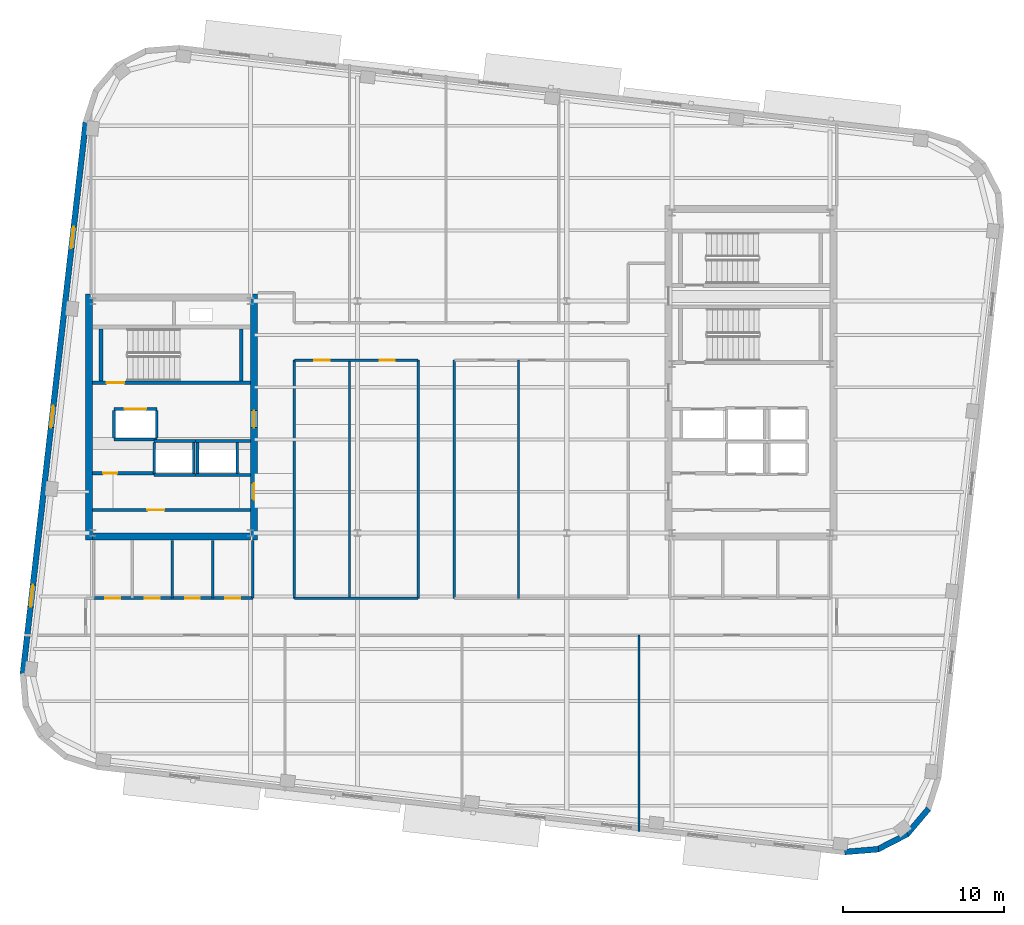
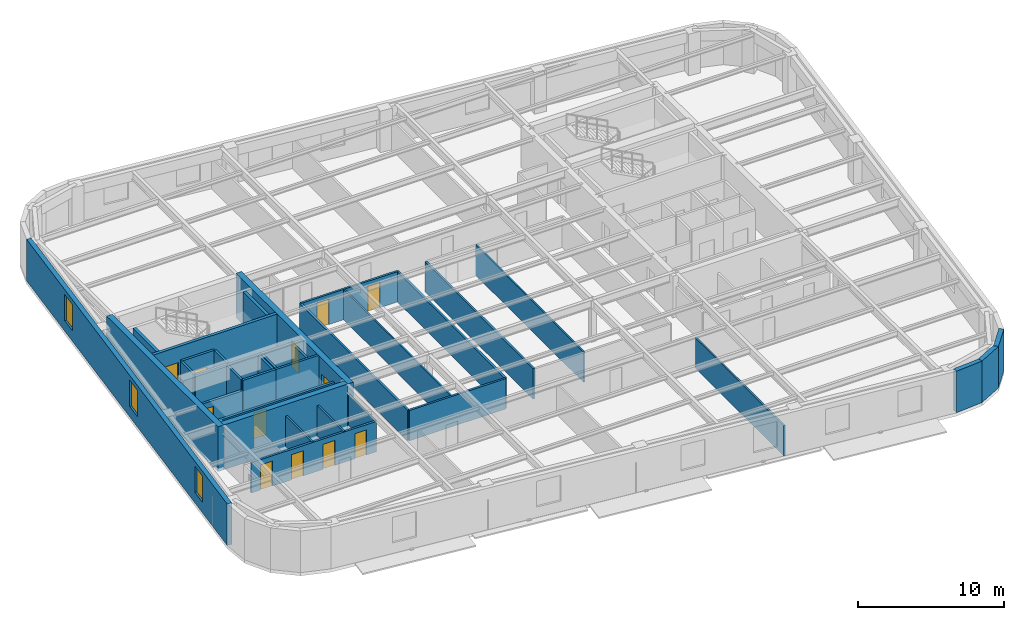
# One storey, part 6 of 13: 36 walls, 12 doors, 3 windows, 15 openings.
"""IFC4 building model written with IfcOpenShell, lengths in metres."""

from ifc_helpers import new_model, si_unit, direction, frame, frame_2d, origin, place, context, subcontext, project, spatial, rectangle, extrude, material, layer, layer_set, type_object, element, fill, save


model = new_model("IFC4")

# Units and contexts
model_context = context("Model", 3, precision=1e-05, world=origin(), true_north=direction((0.0, 1.0)))
body_context = subcontext(model_context, "Body", "Model", "MODEL_VIEW")
ifc_project = project(units=[si_unit("LENGTHUNIT", "METRE"), si_unit("AREAUNIT", "SQUARE_METRE"), si_unit("VOLUMEUNIT", "CUBIC_METRE"), si_unit("PLANEANGLEUNIT", "RADIAN"), si_unit("MASSUNIT", "GRAM", prefix="KILO")], contexts=[model_context])

# Site, building, storey
site_placement = place(None, origin())
site = spatial("IfcSite", under=ifc_project, at=site_placement, CompositionType="ELEMENT")
building_placement = place(site_placement, origin())
building = spatial("IfcBuilding", under=site, at=building_placement, Name="Kolvaren Arena Tower", CompositionType="ELEMENT")
storey_placement = place(building_placement, frame((0.0, 0.0, 228.449951171875)))
storey = spatial("IfcBuildingStorey", under=building, at=storey_placement, Name="L55", CompositionType="ELEMENT", Elevation=228.449951171875)

# Wall, openings, doors
ifc_material_1 = material(Name="Gypsum board acoustic assembly", Category="gypsum")
ifc_layer_1 = layer(ifc_material_1, 0.159912109375)
ifc_layer_set_1 = layer_set([ifc_layer_1], Name="Gypsum board acoustic assembly")
wall_type_1 = type_object("IfcWallType", Name="CORR-160", PredefinedType="PARTITIONING", material=ifc_layer_set_1)
wall_1_placement = place(storey_placement, frame((27.10009765625, 30.179931640625, 0.0), z_axis=(0.0, 0.0, 1.0), x_axis=(1.0, 0.0, 0.0)))
wall_1 = element("IfcWall", 1, at=wall_1_placement, inside=storey, type_object=wall_type_1, Name="Interior Partition Wall (L55)", PredefinedType="PARTITIONING", context=body_context, shape_type="SweptSolid", body=[
    extrude(rectangle(XDim=7.659912109375, YDim=0.159912109375, at=frame_2d((3.830078125, 0.0))), origin(), (0.0, 0.0, 1.0), 2.5400390625),
])
opening_1_placement = place(wall_1_placement, frame((1.22509765625, 0.0, 0.0)))
opening_1 = element("IfcOpeningElement", 2, at=opening_1_placement, cuts=wall_1, Name="Opening D05", PredefinedType="OPENING", context=body_context, shape_type="SweptSolid", body=[
    extrude(rectangle(XDim=0.949951171875, YDim=2.14990234375, at=frame_2d((0.47509765625, 1.074951171875))), frame((0.0, 0.08984375, 0.0), z_axis=(0.0, -1.0, 0.0), x_axis=(1.0, 0.0, 0.0)), (0.0, 0.0, 1.0), 0.179931640625),
])
opening_2_placement = place(wall_1_placement, frame((5.27490234375, 0.0, 0.0)))
opening_2 = element("IfcOpeningElement", 3, at=opening_2_placement, cuts=wall_1, Name="Opening D05", PredefinedType="OPENING", context=body_context, shape_type="SweptSolid", body=[
    extrude(rectangle(XDim=0.949951171875, YDim=2.14990234375, at=frame_2d((0.47509765625, 1.074951171875))), frame((0.0, 0.08984375, 0.0), z_axis=(0.0, -1.0, 0.0), x_axis=(1.0, 0.0, 0.0)), (0.0, 0.0, 1.0), 0.179931640625),
])
ifc_material_2 = material(Name="Solid-core oak acoustic office door", Category="wood")
door_type_1 = type_object("IfcDoorType", Name="DOOR-OF-095", OperationType="NOTDEFINED", PredefinedType="DOOR", material=ifc_material_2)
door_1_placement = place(opening_1_placement, origin())
door_1 = element("IfcDoor", 4, at=door_1_placement, inside=storey, type_object=door_type_1, Name="Training Seminar Room Door (L55)", OperationType="SINGLE_SWING_LEFT", OverallHeight=2.14990234375, OverallWidth=0.949951171875, PredefinedType="DOOR", context=body_context, shape_type="SweptSolid", body=[
    extrude(rectangle(XDim=0.949951171875, YDim=2.14990234375, at=frame_2d((0.47509765625, 1.074951171875))), frame((0.0, 0.02490234375, 0.0), z_axis=(0.0, -1.0, 0.0), x_axis=(1.0, 0.0, 0.0)), (0.0, 0.0, 1.0), 0.050048828125),
])
fill(opening_1, door_1)
door_2_placement = place(opening_2_placement, origin())
door_2 = element("IfcDoor", 5, at=door_2_placement, inside=storey, type_object=door_type_1, Name="Boardroom Door (L55)", OperationType="SINGLE_SWING_RIGHT", OverallHeight=2.14990234375, OverallWidth=0.949951171875, PredefinedType="DOOR", context=body_context, shape_type="SweptSolid", body=[
    extrude(rectangle(XDim=0.949951171875, YDim=2.14990234375, at=frame_2d((0.47509765625, 1.074951171875))), frame((0.0, 0.02490234375, 0.0), z_axis=(0.0, -1.0, 0.0), x_axis=(1.0, 0.0, 0.0)), (0.0, 0.0, 1.0), 0.050048828125),
])
fill(opening_2, door_2)

# Walls
wall_2_placement = place(storey_placement, frame((27.10009765625, 15.3798828125, 0.0), z_axis=(0.0, 0.0, 1.0), x_axis=(1.0, 0.0, 0.0)))
element("IfcWall", 6, at=wall_2_placement, inside=storey, type_object=wall_type_1, Name="Interior Partition Wall (L55)", PredefinedType="PARTITIONING", context=body_context, shape_type="SweptSolid", body=[
    extrude(rectangle(XDim=7.659912109375, YDim=0.159912109375, at=frame_2d((3.830078125, 0.0))), origin(), (0.0, 0.0, 1.0), 2.5400390625),
])
for number, where, z_axis, x_axis, name in (
    (7, (34.780029296875, 15.3798828125, 0.0), (0.0, 0.0, 1.0), (0.0, 1.0, 0.0), "Interior Partition Wall (L55)"),
    (8, (37.02001953125, 15.3798828125, 0.0), (0.0, 0.0, 1.0), (0.0, 1.0, 0.0), "Interior Partition Wall (L55)"),
    (9, (27.080078125, 15.3798828125, 0.0), (0.0, 0.0, 1.0), (0.0, 1.0, 0.0), "Interior Partition Wall (L55)"),
):
    element("IfcWall", number, at=place(storey_placement, frame(where, z_axis=z_axis, x_axis=x_axis)), inside=storey, type_object=wall_type_1, Name=name, PredefinedType="PARTITIONING", context=body_context, shape_type="SweptSolid", body=[
        extrude(rectangle(XDim=14.800048828125, YDim=0.159912109375, at=frame_2d((7.39990234375, 0.0))), origin(), (0.0, 0.0, 1.0), 2.5400390625),
    ])
ifc_material_3 = material(Name="Concrete 55 MPa", Category="concrete")
ifc_layer_2 = layer(ifc_material_3, 0.449951171875)
ifc_layer_set_2 = layer_set([ifc_layer_2], Name="Concrete 55 MPa")
wall_type_2 = type_object("IfcWallType", Name="CWALL-450", PredefinedType="SHEAR", material=ifc_layer_set_2)
wall_3_placement = place(storey_placement, frame((14.324951171875, 19.0, -0.27001953125), z_axis=(0.0, 0.0, 1.0), x_axis=(0.0, 1.0, 0.0)))
element("IfcWall", 10, at=wall_3_placement, inside=storey, type_object=wall_type_2, Name="Core Shear Wall WC-WEST (L55)", PredefinedType="SHEAR", context=body_context, shape_type="SweptSolid", body=[
    extrude(rectangle(XDim=15.300048828125, YDim=0.449951171875, at=frame_2d((7.64990234375, 0.0))), origin(), (0.0, 0.0, 1.0), 3.75),
])

# Wall, openings, doors
wall_4_placement = place(storey_placement, frame((24.574951171875, 19.0, -0.27001953125), z_axis=(0.0, 0.0, 1.0), x_axis=(0.0, 1.0, 0.0)))
wall_4 = element("IfcWall", 11, at=wall_4_placement, inside=storey, type_object=wall_type_2, Name="Core Shear Wall WC-EAST (L55)", PredefinedType="SHEAR", context=body_context, shape_type="SweptSolid", body=[
    extrude(rectangle(XDim=15.300048828125, YDim=0.449951171875, at=frame_2d((7.64990234375, 0.0))), origin(), (0.0, 0.0, 1.0), 3.75),
])
opening_3_placement = place(wall_4_placement, frame((2.5, 0.0, 0.27001953125)))
opening_3 = element("IfcOpeningElement", 12, at=opening_3_placement, cuts=wall_4, Name="Opening D04", PredefinedType="OPENING", context=body_context, shape_type="SweptSolid", body=[
    extrude(rectangle(XDim=1.050048828125, YDim=2.14990234375, at=frame_2d((0.52490234375, 1.074951171875))), frame((0.0, 0.23486328125, 0.0), z_axis=(0.0, -1.0, 0.0), x_axis=(1.0, 0.0, 0.0)), (0.0, 0.0, 1.0), 0.469970703125),
])
opening_4_placement = place(wall_4_placement, frame((7.0, 0.0, 0.27001953125)))
opening_4 = element("IfcOpeningElement", 13, at=opening_4_placement, cuts=wall_4, Name="Opening D04", PredefinedType="OPENING", context=body_context, shape_type="SweptSolid", body=[
    extrude(rectangle(XDim=1.050048828125, YDim=2.14990234375, at=frame_2d((0.52490234375, 1.074951171875))), frame((0.0, 0.23486328125, 0.0), z_axis=(0.0, -1.0, 0.0), x_axis=(1.0, 0.0, 0.0)), (0.0, 0.0, 1.0), 0.469970703125),
])
ifc_material_4 = material(Name="Fire-rated steel lobby door", Category="steel")
door_type_2 = type_object("IfcDoorType", Name="DOOR-FF-105", OperationType="NOTDEFINED", PredefinedType="DOOR", material=ifc_material_4)
door_3_placement = place(opening_3_placement, origin())
door_3 = element("IfcDoor", 14, at=door_3_placement, inside=storey, type_object=door_type_2, Name="West Lift Lobby Fire Door (L55)", OperationType="SINGLE_SWING_LEFT", OverallHeight=2.14990234375, OverallWidth=1.050048828125, PredefinedType="DOOR", context=body_context, shape_type="SweptSolid", body=[
    extrude(rectangle(XDim=1.050048828125, YDim=2.14990234375, at=frame_2d((0.52490234375, 1.074951171875))), frame((0.0, 0.02490234375, 0.0), z_axis=(0.0, -1.0, 0.0), x_axis=(1.0, 0.0, 0.0)), (0.0, 0.0, 1.0), 0.050048828125),
])
fill(opening_3, door_3)
door_4_placement = place(opening_4_placement, origin())
door_4 = element("IfcDoor", 15, at=door_4_placement, inside=storey, type_object=door_type_2, Name="West Firefighter Vestibule Door (L55)", OperationType="SINGLE_SWING_RIGHT", OverallHeight=2.14990234375, OverallWidth=1.050048828125, PredefinedType="DOOR", context=body_context, shape_type="SweptSolid", body=[
    extrude(rectangle(XDim=1.050048828125, YDim=2.14990234375, at=frame_2d((0.52490234375, 1.074951171875))), frame((0.0, 0.02490234375, 0.0), z_axis=(0.0, -1.0, 0.0), x_axis=(1.0, 0.0, 0.0)), (0.0, 0.0, 1.0), 0.050048828125),
])
fill(opening_4, door_4)

# Walls
wall_5_placement = place(storey_placement, frame((14.550048828125, 19.22509765625, -0.27001953125), z_axis=(0.0, 0.0, 1.0), x_axis=(1.0, 0.0, 0.0)))
element("IfcWall", 16, at=wall_5_placement, inside=storey, type_object=wall_type_2, Name="Core Shear Wall WC-SOUTH (L55)", PredefinedType="SHEAR", context=body_context, shape_type="SweptSolid", body=[
    extrude(rectangle(XDim=9.800048828125, YDim=0.449951171875, at=frame_2d((4.89990234375, 0.0))), origin(), (0.0, 0.0, 1.0), 3.75),
])
ifc_material_5 = material(Name="Precast concrete C50/60", Category="concrete")
ifc_layer_3 = layer(ifc_material_5, 0.360107421875)
ifc_layer_set_3 = layer_set([ifc_layer_3], Name="Precast concrete C50/60")
wall_type_3 = type_object("IfcWallType", Name="EXT-PIER2", PredefinedType="SOLIDWALL", material=ifc_layer_set_3)
wall_6_placement = place(storey_placement, frame((63.370361328125, -0.199462890625, 0.0), z_axis=(0.0, 0.0, 1.0), x_axis=(-0.996562518477, -0.082844111233, 0.0)))
element("IfcWall", 17, at=wall_6_placement, inside=storey, type_object=wall_type_3, Name="Exterior Precast Masonry-Frame Wall (L55)", PredefinedType="SOLIDWALL", context=body_context, shape_type="SweptSolid", body=[
    extrude(rectangle(XDim=2.107177734375, YDim=0.360107421875, at=frame_2d((1.0537109375, 0.0))), origin(), (0.0, 0.0, 1.0), 3.47998046875),
])
for number, where, z_axis, x_axis, name in (
    (18, (65.176025390625, 0.745849609375, 0.0), (0.0, 0.0, 1.0), (-0.888985992199, -0.457934390142, 0.0), "Exterior Precast Masonry-Frame Wall (L55)"),
    (19, (66.482421875, 2.310302734375, 0.0), (0.0, 0.0, 1.0), (-0.646103249464, -0.763250018691, 0.0), "Exterior Precast Masonry-Frame Wall (L55)"),
):
    element("IfcWall", number, at=place(storey_placement, frame(where, z_axis=z_axis, x_axis=x_axis)), inside=storey, type_object=wall_type_3, Name=name, PredefinedType="SOLIDWALL", context=body_context, shape_type="SweptSolid", body=[
        extrude(rectangle(XDim=2.10693359375, YDim=0.360107421875, at=frame_2d((1.053466796875, 0.0))), origin(), (0.0, 0.0, 1.0), 3.47998046875),
    ])

# Wall, openings, windows
wall_7_placement = place(storey_placement, frame((10.211181640625, 10.70068359375, 0.0), z_axis=(0.0, 0.0, 1.0), x_axis=(0.113203107947, 0.993571867733, 0.0)))
wall_7 = element("IfcWall", 20, at=wall_7_placement, inside=storey, type_object=wall_type_3, Name="Exterior Precast Masonry-Frame Wall (L55)", PredefinedType="SOLIDWALL", context=body_context, shape_type="SweptSolid", body=[
    extrude(rectangle(XDim=34.5, YDim=0.360107421875, at=frame_2d((17.25, 0.0))), origin(), (0.0, 0.0, 1.0), 3.47998046875),
])
opening_5_placement = place(wall_7_placement, frame((4.199951171875, 0.0, 0.8798828125)))
opening_5 = element("IfcOpeningElement", 21, at=opening_5_placement, cuts=wall_7, Name="Opening W04", PredefinedType="OPENING", context=body_context, shape_type="SweptSolid", body=[
    extrude(rectangle(XDim=1.35009765625, YDim=2.199951171875, at=frame_2d((0.675048828125, 1.10009765625))), frame((0.0, 0.18994140625, 0.0), z_axis=(0.0, -1.0, 0.0), x_axis=(1.0, 0.0, 0.0)), (0.0, 0.0, 1.0), 0.380126953125),
])
opening_6_placement = place(wall_7_placement, frame((15.39990234375, 0.0, 0.8798828125)))
opening_6 = element("IfcOpeningElement", 22, at=opening_6_placement, cuts=wall_7, Name="Opening W04", PredefinedType="OPENING", context=body_context, shape_type="SweptSolid", body=[
    extrude(rectangle(XDim=1.35009765625, YDim=2.199951171875, at=frame_2d((0.675048828125, 1.10009765625))), frame((0.0, 0.18994140625, 0.0), z_axis=(0.0, -1.0, 0.0), x_axis=(1.0, 0.0, 0.0)), (0.0, 0.0, 1.0), 0.380126953125),
])
opening_7_placement = place(wall_7_placement, frame((26.60009765625, 0.0, 0.8798828125)))
opening_7 = element("IfcOpeningElement", 23, at=opening_7_placement, cuts=wall_7, Name="Opening W04", PredefinedType="OPENING", context=body_context, shape_type="SweptSolid", body=[
    extrude(rectangle(XDim=1.35009765625, YDim=2.199951171875, at=frame_2d((0.675048828125, 1.10009765625))), frame((0.0, 0.18994140625, 0.0), z_axis=(0.0, -1.0, 0.0), x_axis=(1.0, 0.0, 0.0)), (0.0, 0.0, 1.0), 0.380126953125),
])
ifc_material_6 = material(Name="Triple-glazed curved-facet corner window", Category="glass")
window_type = type_object("IfcWindowType", Name="WIN-CRN-A", PartitioningType="SINGLE_PANEL", PredefinedType="WINDOW", material=ifc_material_6)
window_1_placement = place(opening_5_placement, origin())
window_1 = element("IfcWindow", 24, at=window_1_placement, inside=storey, type_object=window_type, Name="End-Wall Punched Window (L55)", OverallHeight=2.199951171875, OverallWidth=1.35009765625, PartitioningType="SINGLE_PANEL", PredefinedType="WINDOW", context=body_context, shape_type="SweptSolid", body=[
    extrude(rectangle(XDim=1.35009765625, YDim=2.199951171875, at=frame_2d((0.675048828125, 1.10009765625))), frame((0.0, 0.030029296875, 0.0), z_axis=(0.0, -1.0, 0.0), x_axis=(1.0, 0.0, 0.0)), (0.0, 0.0, 1.0), 0.06005859375),
])
fill(opening_5, window_1)
window_2_placement = place(opening_6_placement, origin())
window_2 = element("IfcWindow", 25, at=window_2_placement, inside=storey, type_object=window_type, Name="End-Wall Punched Window (L55)", OverallHeight=2.199951171875, OverallWidth=1.35009765625, PartitioningType="SINGLE_PANEL", PredefinedType="WINDOW", context=body_context, shape_type="SweptSolid", body=[
    extrude(rectangle(XDim=1.35009765625, YDim=2.199951171875, at=frame_2d((0.675048828125, 1.10009765625))), frame((0.0, 0.030029296875, 0.0), z_axis=(0.0, -1.0, 0.0), x_axis=(1.0, 0.0, 0.0)), (0.0, 0.0, 1.0), 0.06005859375),
])
fill(opening_6, window_2)
window_3_placement = place(opening_7_placement, origin())
window_3 = element("IfcWindow", 26, at=window_3_placement, inside=storey, type_object=window_type, Name="End-Wall Punched Window (L55)", OverallHeight=2.199951171875, OverallWidth=1.35009765625, PartitioningType="SINGLE_PANEL", PredefinedType="WINDOW", context=body_context, shape_type="SweptSolid", body=[
    extrude(rectangle(XDim=1.35009765625, YDim=2.199951171875, at=frame_2d((0.675048828125, 1.10009765625))), frame((0.0, 0.030029296875, 0.0), z_axis=(0.0, -1.0, 0.0), x_axis=(1.0, 0.0, 0.0)), (0.0, 0.0, 1.0), 0.06005859375),
])
fill(opening_7, window_3)

# Wall, opening, door
ifc_material_7 = material(Name="Concrete 40 MPa", Category="concrete")
ifc_layer_4 = layer(ifc_material_7, 0.199951171875)
ifc_layer_set_4 = layer_set([ifc_layer_4], Name="Concrete 40 MPa")
wall_type_4 = type_object("IfcWallType", Name="LOBBY-200", PredefinedType="SOLIDWALL", material=ifc_layer_set_4)
wall_8_placement = place(storey_placement, frame((14.550048828125, 20.8798828125, 0.0), z_axis=(0.0, 0.0, 1.0), x_axis=(1.0, 0.0, 0.0)))
wall_8 = element("IfcWall", 27, at=wall_8_placement, inside=storey, type_object=wall_type_4, Name="Core Shaft Wall (L55)", PredefinedType="SOLIDWALL", context=body_context, shape_type="SweptSolid", body=[
    extrude(rectangle(XDim=9.800048828125, YDim=0.199951171875, at=frame_2d((4.89990234375, 0.0))), origin(), (0.0, 0.0, 1.0), 2.5400390625),
])
opening_8_placement = place(wall_8_placement, frame((3.39990234375, 0.0, 0.0)))
opening_8 = element("IfcOpeningElement", 28, at=opening_8_placement, cuts=wall_8, Name="Opening D04", PredefinedType="OPENING", context=body_context, shape_type="SweptSolid", body=[
    extrude(rectangle(XDim=1.050048828125, YDim=2.14990234375, at=frame_2d((0.52490234375, 1.074951171875))), frame((0.0, 0.10986328125, 0.0), z_axis=(0.0, -1.0, 0.0), x_axis=(1.0, 0.0, 0.0)), (0.0, 0.0, 1.0), 0.219970703125),
])
door_5_placement = place(opening_8_placement, origin())
door_5 = element("IfcDoor", 29, at=door_5_placement, inside=storey, type_object=door_type_2, Name="West IT Room Fire Door (L55)", OperationType="SINGLE_SWING_LEFT", OverallHeight=2.14990234375, OverallWidth=1.050048828125, PredefinedType="DOOR", context=body_context, shape_type="SweptSolid", body=[
    extrude(rectangle(XDim=1.050048828125, YDim=2.14990234375, at=frame_2d((0.52490234375, 1.074951171875))), frame((0.0, 0.02490234375, 0.0), z_axis=(0.0, -1.0, 0.0), x_axis=(1.0, 0.0, 0.0)), (0.0, 0.0, 1.0), 0.050048828125),
])
fill(opening_8, door_5)

wall_9_placement = place(storey_placement, frame((14.550048828125, 23.159912109375, 0.0), z_axis=(0.0, 0.0, 1.0), x_axis=(1.0, 0.0, 0.0)))
wall_9 = element("IfcWall", 30, at=wall_9_placement, inside=storey, type_object=wall_type_4, Name="Core Shaft Wall (L55)", PredefinedType="SOLIDWALL", context=body_context, shape_type="SweptSolid", body=[
    extrude(rectangle(XDim=3.820068359375, YDim=0.199951171875, at=frame_2d((1.91015625, 0.0))), origin(), (0.0, 0.0, 1.0), 2.5400390625),
])
opening_9_placement = place(wall_9_placement, frame((0.64990234375, 0.0, 0.0)))
opening_9 = element("IfcOpeningElement", 31, at=opening_9_placement, cuts=wall_9, Name="Opening D09", PredefinedType="OPENING", context=body_context, shape_type="SweptSolid", body=[
    extrude(rectangle(XDim=0.860107421875, YDim=2.050048828125, at=frame_2d((0.43017578125, 1.02490234375))), frame((0.0, 0.10986328125, 0.0), z_axis=(0.0, -1.0, 0.0), x_axis=(1.0, 0.0, 0.0)), (0.0, 0.0, 1.0), 0.219970703125),
])
ifc_material_8 = material(Name="Fire-rated steel riser access door", Category="steel")
door_type_3 = type_object("IfcDoorType", Name="DOOR-RS-086", OperationType="NOTDEFINED", PredefinedType="DOOR", material=ifc_material_8)
door_6_placement = place(opening_9_placement, origin())
door_6 = element("IfcDoor", 32, at=door_6_placement, inside=storey, type_object=door_type_3, Name="West Document Archive Riser Door (L55)", OperationType="SINGLE_SWING_RIGHT", OverallHeight=2.050048828125, OverallWidth=0.860107421875, PredefinedType="DOOR", context=body_context, shape_type="SweptSolid", body=[
    extrude(rectangle(XDim=0.860107421875, YDim=2.050048828125, at=frame_2d((0.43017578125, 1.02490234375))), frame((0.0, 0.02490234375, 0.0), z_axis=(0.0, -1.0, 0.0), x_axis=(1.0, 0.0, 0.0)), (0.0, 0.0, 1.0), 0.050048828125),
])
fill(opening_9, door_6)

# Walls
ifc_material_9 = material(Name="Gypsum board partition assembly", Category="gypsum")
ifc_layer_5 = layer(ifc_material_9, 0.114990234375)
ifc_layer_set_5 = layer_set([ifc_layer_5], Name="Gypsum board partition assembly")
wall_type_5 = type_object("IfcWallType", Name="PART-115", PredefinedType="PARTITIONING", material=ifc_layer_set_5)
for number, where, z_axis, x_axis, name in (
    (33, (30.5, 15.3798828125, 0.0), (0.0, 0.0, 1.0), (0.0, 1.0, 0.0), "Interior Partition Wall (L55)"),
    (34, (41.0, 15.3798828125, 0.0), (0.0, 0.0, 1.0), (0.0, 1.0, 0.0), "Interior Partition Wall (L55)"),
):
    element("IfcWall", number, at=place(storey_placement, frame(where, z_axis=z_axis, x_axis=x_axis)), inside=storey, type_object=wall_type_5, Name=name, PredefinedType="PARTITIONING", context=body_context, shape_type="SweptSolid", body=[
        extrude(rectangle(XDim=14.800048828125, YDim=0.114990234375, at=frame_2d((7.39990234375, 0.0))), origin(), (0.0, 0.0, 1.0), 2.5400390625),
    ])
ifc_layer_6 = layer(ifc_material_9, 0.135009765625)
ifc_layer_set_6 = layer_set([ifc_layer_6], Name="Gypsum board partition assembly")
wall_type_6 = type_object("IfcWallType", Name="PART-135", PredefinedType="PARTITIONING", material=ifc_layer_set_6)
wall_10_placement = place(storey_placement, frame((48.5, 0.9033203125, 0.0), z_axis=(0.0, 0.0, 1.0), x_axis=(0.0, 1.0, 0.0)))
element("IfcWall", 35, at=wall_10_placement, inside=storey, type_object=wall_type_6, Name="Interior Partition Wall (L55)", PredefinedType="PARTITIONING", context=body_context, shape_type="SweptSolid", body=[
    extrude(rectangle(XDim=12.19677734375, YDim=0.135009765625, at=frame_2d((6.098388671875, 0.0))), origin(), (0.0, 0.0, 1.0), 2.5400390625),
])

# Wall, opening, door
ifc_material_10 = material(Name="Concrete 45 MPa", Category="concrete")
ifc_layer_7 = layer(ifc_material_10, 0.25)
ifc_layer_set_7 = layer_set([ifc_layer_7], Name="Concrete 45 MPa")
wall_type_7 = type_object("IfcWallType", Name="SHAFT-250", PredefinedType="SOLIDWALL", material=ifc_layer_set_7)
wall_11_placement = place(storey_placement, frame((24.35009765625, 28.780029296875, 0.0), z_axis=(0.0, 0.0, 1.0), x_axis=(-1.0, 0.0, 0.0)))
wall_11 = element("IfcWall", 36, at=wall_11_placement, inside=storey, type_object=wall_type_7, Name="Core Shaft Wall (L55)", PredefinedType="SOLIDWALL", context=body_context, shape_type="SweptSolid", body=[
    extrude(rectangle(XDim=9.800048828125, YDim=0.239990234375, at=frame_2d((4.89990234375, 0.0))), origin(), (0.0, 0.0, 1.0), 3.47998046875),
])
opening_10_placement = place(wall_11_placement, frame((7.830078125, 0.0, 0.0)))
opening_10 = element("IfcOpeningElement", 37, at=opening_10_placement, cuts=wall_11, Name="Opening D03", PredefinedType="OPENING", context=body_context, shape_type="SweptSolid", body=[
    extrude(rectangle(XDim=1.10009765625, YDim=2.14990234375, at=frame_2d((0.550048828125, 1.074951171875))), frame((0.0, 0.1298828125, 0.0), z_axis=(0.0, -1.0, 0.0), x_axis=(1.0, 0.0, 0.0)), (0.0, 0.0, 1.0), 0.260009765625),
])
ifc_material_11 = material(Name="Fire-rated steel exit stair door", Category="steel")
door_type_4 = type_object("IfcDoorType", Name="DOOR-ST-110", OperationType="NOTDEFINED", PredefinedType="DOOR", material=ifc_material_11)
door_7_placement = place(opening_10_placement, origin())
door_7 = element("IfcDoor", 38, at=door_7_placement, inside=storey, type_object=door_type_4, Name="Stair ST-W1 Fire Door (L55)", OperationType="SINGLE_SWING_RIGHT", OverallHeight=2.14990234375, OverallWidth=1.10009765625, PredefinedType="DOOR", context=body_context, shape_type="SweptSolid", body=[
    extrude(rectangle(XDim=1.10009765625, YDim=2.14990234375, at=frame_2d((0.550048828125, 1.074951171875))), frame((0.0, 0.02490234375, 0.0), z_axis=(0.0, -1.0, 0.0), x_axis=(1.0, 0.0, 0.0)), (0.0, 0.0, 1.0), 0.050048828125),
])
fill(opening_10, door_7)

# Walls
for number, where, z_axis, x_axis, name in (
    (39, (15.06005859375, 28.89990234375, 0.0), (0.0, 0.0, 1.0), (0.0, 1.0, 0.0), "Core Shaft Wall (L55)"),
    (40, (23.780029296875, 28.89990234375, 0.0), (0.0, 0.0, 1.0), (0.0, 1.0, 0.0), "Core Shaft Wall (L55)"),
):
    element("IfcWall", number, at=place(storey_placement, frame(where, z_axis=z_axis, x_axis=x_axis)), inside=storey, type_object=wall_type_7, Name=name, PredefinedType="SOLIDWALL", context=body_context, shape_type="SweptSolid", body=[
        extrude(rectangle(XDim=3.22998046875, YDim=0.239990234375, at=frame_2d((1.614990234375, 0.0))), origin(), (0.0, 0.0, 1.0), 3.47998046875),
    ])
for number, where, z_axis, x_axis, name in (
    (41, (18.3701171875, 25.155029296875, 0.0), (0.0, 0.0, 1.0), (1.0, 0.0, 0.0), "Core Shaft Wall (L55)"),
    (42, (18.3701171875, 23.044921875, 0.0), (0.0, 0.0, 1.0), (1.0, 0.0, 0.0), "Core Shaft Wall (L55)"),
):
    element("IfcWall", number, at=place(storey_placement, frame(where, z_axis=z_axis, x_axis=x_axis)), inside=storey, type_object=wall_type_7, Name=name, PredefinedType="SOLIDWALL", context=body_context, shape_type="SweptSolid", body=[
        extrude(rectangle(XDim=2.579833984375, YDim=0.179931640625, at=frame_2d((1.2900390625, 0.0))), origin(), (0.0, 0.0, 1.0), 3.47998046875),
    ])
for number, where, z_axis, x_axis, name in (
    (43, (18.3701171875, 23.135009765625, 0.0), (0.0, 0.0, 1.0), (0.0, 1.0, 0.0), "Core Shaft Wall (L55)"),
    (44, (20.830078125, 23.135009765625, 0.0), (0.0, 0.0, 1.0), (0.0, 1.0, 0.0), "Core Shaft Wall (L55)"),
):
    element("IfcWall", number, at=place(storey_placement, frame(where, z_axis=z_axis, x_axis=x_axis)), inside=storey, type_object=wall_type_7, Name=name, PredefinedType="SOLIDWALL", context=body_context, shape_type="SweptSolid", body=[
        extrude(rectangle(XDim=1.929931640625, YDim=0.179931640625, at=frame_2d((0.96484375, 0.0))), origin(), (0.0, 0.0, 1.0), 3.47998046875),
    ])
for number, where, z_axis, x_axis, name in (
    (45, (20.949951171875, 25.155029296875, 0.0), (0.0, 0.0, 1.0), (1.0, 0.0, 0.0), "Core Shaft Wall (L55)"),
    (46, (20.949951171875, 23.044921875, 0.0), (0.0, 0.0, 1.0), (1.0, 0.0, 0.0), "Core Shaft Wall (L55)"),
):
    element("IfcWall", number, at=place(storey_placement, frame(where, z_axis=z_axis, x_axis=x_axis)), inside=storey, type_object=wall_type_7, Name=name, PredefinedType="SOLIDWALL", context=body_context, shape_type="SweptSolid", body=[
        extrude(rectangle(XDim=3.400146484375, YDim=0.179931640625, at=frame_2d((1.7001953125, 0.0))), origin(), (0.0, 0.0, 1.0), 3.47998046875),
    ])
for number, where, z_axis, x_axis, name in (
    (47, (21.070068359375, 23.135009765625, 0.0), (0.0, 0.0, 1.0), (0.0, 1.0, 0.0), "Core Shaft Wall (L55)"),
    (48, (23.530029296875, 23.135009765625, 0.0), (0.0, 0.0, 1.0), (0.0, 1.0, 0.0), "Core Shaft Wall (L55)"),
):
    element("IfcWall", number, at=place(storey_placement, frame(where, z_axis=z_axis, x_axis=x_axis)), inside=storey, type_object=wall_type_7, Name=name, PredefinedType="SOLIDWALL", context=body_context, shape_type="SweptSolid", body=[
        extrude(rectangle(XDim=1.929931640625, YDim=0.179931640625, at=frame_2d((0.96484375, 0.0))), origin(), (0.0, 0.0, 1.0), 3.47998046875),
    ])

# Wall, opening, door
wall_12_placement = place(storey_placement, frame((15.8701171875, 27.155029296875, 0.0), z_axis=(0.0, 0.0, 1.0), x_axis=(1.0, 0.0, 0.0)))
wall_12 = element("IfcWall", 49, at=wall_12_placement, inside=storey, type_object=wall_type_7, Name="Core Shaft Wall (L55)", PredefinedType="SOLIDWALL", context=body_context, shape_type="SweptSolid", body=[
    extrude(rectangle(XDim=2.659912109375, YDim=0.179931640625, at=frame_2d((1.330078125, 0.0))), origin(), (0.0, 0.0, 1.0), 3.47998046875),
])
opening_11_placement = place(wall_12_placement, frame((0.655029296875, 0.0, 0.0)))
opening_11 = element("IfcOpeningElement", 50, at=opening_11_placement, cuts=wall_12, Name="Opening LD2", PredefinedType="OPENING", context=body_context, shape_type="SweptSolid", body=[
    extrude(rectangle(XDim=1.35009765625, YDim=2.300048828125, at=frame_2d((0.675048828125, 1.14990234375))), frame((0.0, 0.099853515625, 0.0), z_axis=(0.0, -1.0, 0.0), x_axis=(1.0, 0.0, 0.0)), (0.0, 0.0, 1.0), 0.199951171875),
])
ifc_material_12 = material(Name="Stainless steel firefighter lift landing door", Category="steel")
door_type_5 = type_object("IfcDoorType", Name="DOOR-LD-135", OperationType="DOUBLE_DOOR_SLIDING", PredefinedType="DOOR", material=ifc_material_12)
door_8_placement = place(opening_11_placement, origin())
door_8 = element("IfcDoor", 51, at=door_8_placement, inside=storey, type_object=door_type_5, Name="Firefighter Lift FF-W1 Landing Door (L55)", OperationType="DOUBLE_DOOR_SLIDING", OverallHeight=2.300048828125, OverallWidth=1.35009765625, PredefinedType="DOOR", context=body_context, shape_type="SweptSolid", body=[
    extrude(rectangle(XDim=1.35009765625, YDim=2.300048828125, at=frame_2d((0.675048828125, 1.14990234375))), frame((0.0, 0.02490234375, 0.0), z_axis=(0.0, -1.0, 0.0), x_axis=(1.0, 0.0, 0.0)), (0.0, 0.0, 1.0), 0.050048828125),
])
fill(opening_11, door_8)

# Walls
wall_13_placement = place(storey_placement, frame((15.8701171875, 25.2451171875, 0.0), z_axis=(0.0, 0.0, 1.0), x_axis=(1.0, 0.0, 0.0)))
element("IfcWall", 52, at=wall_13_placement, inside=storey, type_object=wall_type_7, Name="Core Shaft Wall (L55)", PredefinedType="SOLIDWALL", context=body_context, shape_type="SweptSolid", body=[
    extrude(rectangle(XDim=2.659912109375, YDim=0.179931640625, at=frame_2d((1.330078125, 0.0))), origin(), (0.0, 0.0, 1.0), 3.47998046875),
])
for number, where, z_axis, x_axis, name in (
    (53, (15.8701171875, 25.3349609375, 0.0), (0.0, 0.0, 1.0), (0.0, 1.0, 0.0), "Core Shaft Wall (L55)"),
    (54, (18.530029296875, 25.3349609375, 0.0), (0.0, 0.0, 1.0), (0.0, 1.0, 0.0), "Core Shaft Wall (L55)"),
):
    element("IfcWall", number, at=place(storey_placement, frame(where, z_axis=z_axis, x_axis=x_axis)), inside=storey, type_object=wall_type_7, Name=name, PredefinedType="SOLIDWALL", context=body_context, shape_type="SweptSolid", body=[
        extrude(rectangle(XDim=1.72998046875, YDim=0.179931640625, at=frame_2d((0.864990234375, 0.0))), origin(), (0.0, 0.0, 1.0), 3.47998046875),
    ])
ifc_material_13 = material(Name="Moisture-resistant gypsum assembly", Category="gypsum")
ifc_layer_8 = layer(ifc_material_13, 0.14990234375)
ifc_layer_set_8 = layer_set([ifc_layer_8], Name="Moisture-resistant gypsum assembly")
wall_type_8 = type_object("IfcWallType", Name="WETW-150", PredefinedType="PARTITIONING", material=ifc_layer_set_8)
for number, where, z_axis, x_axis, name in (
    (55, (19.5, 15.39990234375, 0.0), (0.0, 0.0, 1.0), (0.0, 1.0, 0.0), "Interior Partition Wall (L55)"),
    (56, (22.0, 15.39990234375, 0.0), (0.0, 0.0, 1.0), (0.0, 1.0, 0.0), "Interior Partition Wall (L55)"),
):
    element("IfcWall", number, at=place(storey_placement, frame(where, z_axis=z_axis, x_axis=x_axis)), inside=storey, type_object=wall_type_8, Name=name, PredefinedType="PARTITIONING", context=body_context, shape_type="SweptSolid", body=[
        extrude(rectangle(XDim=3.580078125, YDim=0.14990234375, at=frame_2d((1.7900390625, 0.0))), origin(), (0.0, 0.0, 1.0), 2.5400390625),
    ])

# Wall, openings, doors
wall_14_placement = place(storey_placement, frame((14.60009765625, 15.39990234375, 0.0), z_axis=(0.0, 0.0, 1.0), x_axis=(1.0, 0.0, 0.0)))
wall_14 = element("IfcWall", 57, at=wall_14_placement, inside=storey, type_object=wall_type_8, Name="Interior Partition Wall (L55)", PredefinedType="PARTITIONING", context=body_context, shape_type="SweptSolid", body=[
    extrude(rectangle(XDim=9.89990234375, YDim=0.179931640625, at=frame_2d((4.949951171875, 0.0))), origin(), (0.0, 0.0, 1.0), 2.5400390625),
])
opening_12_placement = place(wall_14_placement, frame((0.739990234375, 0.0, 0.0)))
opening_12 = element("IfcOpeningElement", 58, at=opening_12_placement, cuts=wall_14, Name="Opening D07", PredefinedType="OPENING", context=body_context, shape_type="SweptSolid", body=[
    extrude(rectangle(XDim=0.919921875, YDim=2.10009765625, at=frame_2d((0.4599609375, 1.050048828125))), frame((0.0, 0.099853515625, 0.0), z_axis=(0.0, -1.0, 0.0), x_axis=(1.0, 0.0, 0.0)), (0.0, 0.0, 1.0), 0.199951171875),
])
opening_13_placement = place(wall_14_placement, frame((3.18994140625, 0.0, 0.0)))
opening_13 = element("IfcOpeningElement", 59, at=opening_13_placement, cuts=wall_14, Name="Opening D07", PredefinedType="OPENING", context=body_context, shape_type="SweptSolid", body=[
    extrude(rectangle(XDim=0.919921875, YDim=2.10009765625, at=frame_2d((0.4599609375, 1.050048828125))), frame((0.0, 0.099853515625, 0.0), z_axis=(0.0, -1.0, 0.0), x_axis=(1.0, 0.0, 0.0)), (0.0, 0.0, 1.0), 0.199951171875),
])
opening_14_placement = place(wall_14_placement, frame((5.68994140625, 0.0, 0.0)))
opening_14 = element("IfcOpeningElement", 60, at=opening_14_placement, cuts=wall_14, Name="Opening D07", PredefinedType="OPENING", context=body_context, shape_type="SweptSolid", body=[
    extrude(rectangle(XDim=0.919921875, YDim=2.10009765625, at=frame_2d((0.4599609375, 1.050048828125))), frame((0.0, 0.099853515625, 0.0), z_axis=(0.0, -1.0, 0.0), x_axis=(1.0, 0.0, 0.0)), (0.0, 0.0, 1.0), 0.199951171875),
])
opening_15_placement = place(wall_14_placement, frame((8.18994140625, 0.0, 0.0)))
opening_15 = element("IfcOpeningElement", 61, at=opening_15_placement, cuts=wall_14, Name="Opening D07", PredefinedType="OPENING", context=body_context, shape_type="SweptSolid", body=[
    extrude(rectangle(XDim=0.919921875, YDim=2.10009765625, at=frame_2d((0.4599609375, 1.050048828125))), frame((0.0, 0.099853515625, 0.0), z_axis=(0.0, -1.0, 0.0), x_axis=(1.0, 0.0, 0.0)), (0.0, 0.0, 1.0), 0.199951171875),
])
ifc_material_14 = material(Name="Laminate universal washroom door", Category="wood")
door_type_6 = type_object("IfcDoorType", Name="DOOR-WC-092", OperationType="NOTDEFINED", PredefinedType="DOOR", material=ifc_material_14)
door_9_placement = place(opening_12_placement, origin())
door_9 = element("IfcDoor", 62, at=door_9_placement, inside=storey, type_object=door_type_6, Name="Cleaner and Janitor Store Door (L55)", OperationType="SINGLE_SWING_LEFT", OverallHeight=2.10009765625, OverallWidth=0.919921875, PredefinedType="DOOR", context=body_context, shape_type="SweptSolid", body=[
    extrude(rectangle(XDim=0.919921875, YDim=2.10009765625, at=frame_2d((0.4599609375, 1.050048828125))), frame((0.0, 0.02490234375, 0.0), z_axis=(0.0, -1.0, 0.0), x_axis=(1.0, 0.0, 0.0)), (0.0, 0.0, 1.0), 0.050048828125),
])
fill(opening_12, door_9)
door_10_placement = place(opening_13_placement, origin())
door_10 = element("IfcDoor", 63, at=door_10_placement, inside=storey, type_object=door_type_6, Name="Universal Barrier-Free Washroom Door (L55)", OperationType="SINGLE_SWING_RIGHT", OverallHeight=2.10009765625, OverallWidth=0.919921875, PredefinedType="DOOR", context=body_context, shape_type="SweptSolid", body=[
    extrude(rectangle(XDim=0.919921875, YDim=2.10009765625, at=frame_2d((0.4599609375, 1.050048828125))), frame((0.0, 0.02490234375, 0.0), z_axis=(0.0, -1.0, 0.0), x_axis=(1.0, 0.0, 0.0)), (0.0, 0.0, 1.0), 0.050048828125),
])
fill(opening_13, door_10)
door_11_placement = place(opening_14_placement, origin())
door_11 = element("IfcDoor", 64, at=door_11_placement, inside=storey, type_object=door_type_6, Name="Women Restroom Door (L55)", OperationType="SINGLE_SWING_LEFT", OverallHeight=2.10009765625, OverallWidth=0.919921875, PredefinedType="DOOR", context=body_context, shape_type="SweptSolid", body=[
    extrude(rectangle(XDim=0.919921875, YDim=2.10009765625, at=frame_2d((0.4599609375, 1.050048828125))), frame((0.0, 0.02490234375, 0.0), z_axis=(0.0, -1.0, 0.0), x_axis=(1.0, 0.0, 0.0)), (0.0, 0.0, 1.0), 0.050048828125),
])
fill(opening_14, door_11)
door_12_placement = place(opening_15_placement, origin())
door_12 = element("IfcDoor", 65, at=door_12_placement, inside=storey, type_object=door_type_6, Name="Men Restroom Door (L55)", OperationType="SINGLE_SWING_RIGHT", OverallHeight=2.10009765625, OverallWidth=0.919921875, PredefinedType="DOOR", context=body_context, shape_type="SweptSolid", body=[
    extrude(rectangle(XDim=0.919921875, YDim=2.10009765625, at=frame_2d((0.4599609375, 1.050048828125))), frame((0.0, 0.02490234375, 0.0), z_axis=(0.0, -1.0, 0.0), x_axis=(1.0, 0.0, 0.0)), (0.0, 0.0, 1.0), 0.050048828125),
])
fill(opening_15, door_12)

# Wall
wall_15_placement = place(storey_placement, frame((24.5, 15.39990234375, 0.0), z_axis=(0.0, 0.0, 1.0), x_axis=(0.0, 1.0, 0.0)))
element("IfcWall", 66, at=wall_15_placement, inside=storey, type_object=wall_type_8, Name="Interior Partition Wall (L55)", PredefinedType="PARTITIONING", context=body_context, shape_type="SweptSolid", body=[
    extrude(rectangle(XDim=3.580078125, YDim=0.14990234375, at=frame_2d((1.7900390625, 0.0))), origin(), (0.0, 0.0, 1.0), 2.5400390625),
])

save(model, "model.ifc")
